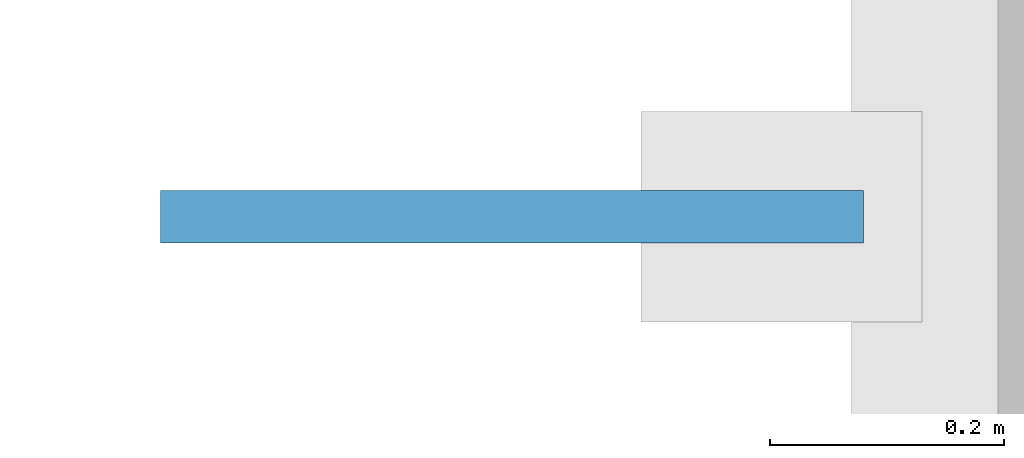
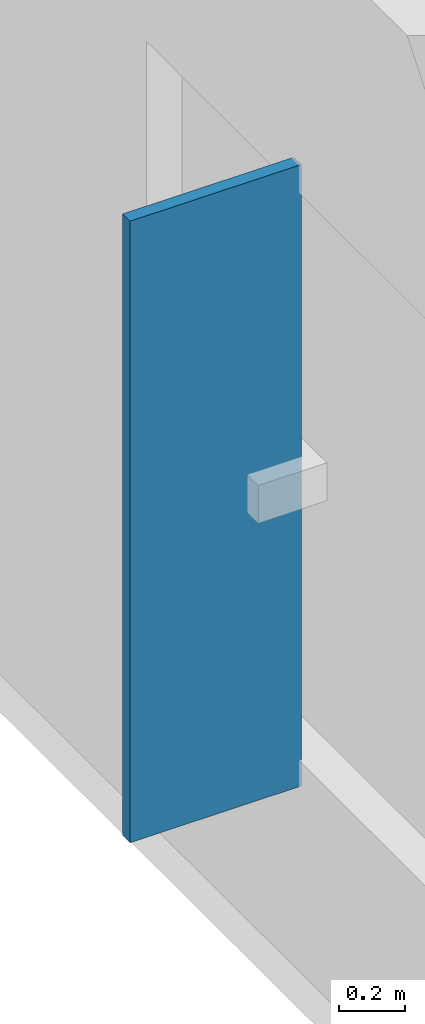
# One storey, part 81 of 105: 1 plate.
"""IFC4 building model written with IfcOpenShell, lengths in metres."""

from ifc_helpers import new_model, si_unit, direction, frame, origin, origin_2d, place, context, subcontext, project, spatial, rectangle, extrude, material, layer, layer_set, type_object, element, save


model = new_model("IFC4")

# Units and contexts
model_context = context("Model", 3, precision=1e-05, world=origin(), true_north=direction((0.0, 1.0)))
body_context = subcontext(model_context, "Body", "Model", "MODEL_VIEW")
ifc_project = project(units=[si_unit("LENGTHUNIT", "METRE"), si_unit("AREAUNIT", "SQUARE_METRE"), si_unit("VOLUMEUNIT", "CUBIC_METRE"), si_unit("PLANEANGLEUNIT", "RADIAN"), si_unit("MASSUNIT", "GRAM", prefix="KILO")], contexts=[model_context])

# Site, building, storey
site_placement = place(None, origin())
site = spatial("IfcSite", under=ifc_project, at=site_placement, CompositionType="ELEMENT")
building_placement = place(site_placement, origin())
building = spatial("IfcBuilding", under=site, at=building_placement, Name="Pelvatis Terrace Science Centre", CompositionType="ELEMENT")
storey_placement = place(building_placement, frame((0.0, 0.0, 10.199951171875)))
storey = spatial("IfcBuildingStorey", under=building, at=storey_placement, Name="L02", CompositionType="ELEMENT", Elevation=10.199951171875)

# Plate
ifc_material = material(Name="Perforated architectural bronze brise-soleil fin", Category="aluminium")
ifc_layer = layer(ifc_material, 3.39990234375)
ifc_layer_set = layer_set([ifc_layer], Name="Perforated architectural bronze brise-soleil fin")
plate_type = type_object("IfcPlateType", Name="PLT-FIN-W600", PredefinedType="SHEET", material=ifc_layer_set)
plate_placement = place(storey_placement, frame((140.034912109375, 65.199951171875, 0.68017578125), z_axis=(0.0, 0.0, 1.0), x_axis=(1.0, 0.0, 0.0)))
element("IfcPlate", 1, at=plate_placement, inside=storey, type_object=plate_type, Name="West bronze brise-soleil fin 088", PredefinedType="SHEET", context=body_context, shape_type="SweptSolid", body=[
    extrude(rectangle(XDim=0.60009765625, YDim=0.044921875, at=origin_2d()), origin(), (0.0, 0.0, 1.0), 2.300048828125),
])

save(model, "model.ifc")
